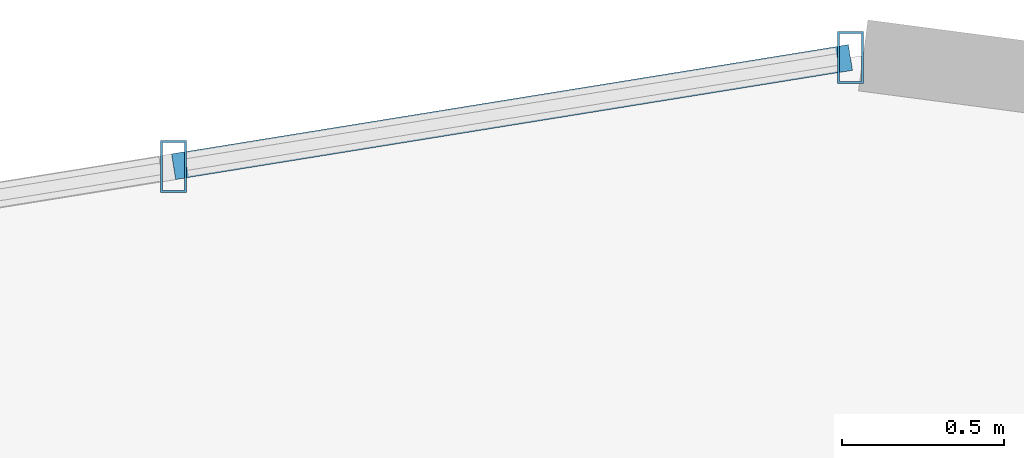
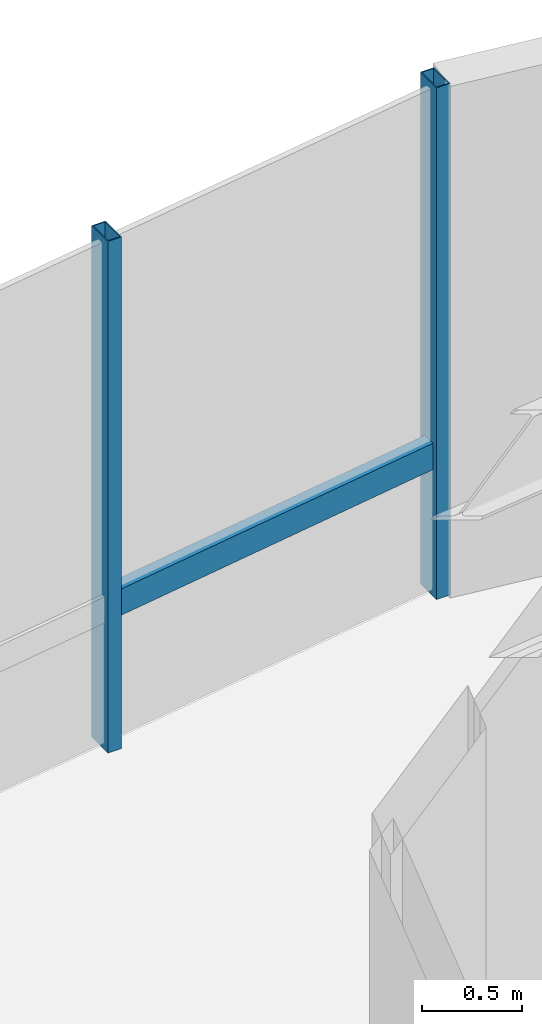
# One storey, part 15 of 21: 3 members, 1 element without a shape of its own.
"""IFC4 building model written with IfcOpenShell, lengths in metres."""

from ifc_helpers import new_model, si_unit, direction, frame, origin, origin_2d, place, context, subcontext, project, spatial, hollow_rectangle, extrude, source, transform, mapped, material, material_profile, profile_set, type_object, element, aggregate, save


model = new_model("IFC4")

# Units and contexts
model_context = context("Model", 3, precision=1e-05, world=origin(), true_north=direction((0.0, 1.0)))
body_context = subcontext(model_context, "Body", "Model", "MODEL_VIEW")
ifc_project = project(units=[si_unit("LENGTHUNIT", "METRE"), si_unit("AREAUNIT", "SQUARE_METRE"), si_unit("VOLUMEUNIT", "CUBIC_METRE"), si_unit("PLANEANGLEUNIT", "RADIAN"), si_unit("MASSUNIT", "GRAM", prefix="KILO")], contexts=[model_context])

# Site, building, storey
site_placement = place(None, origin())
site = spatial("IfcSite", under=ifc_project, at=site_placement, CompositionType="ELEMENT")
building_placement = place(site_placement, origin())
building = spatial("IfcBuilding", under=site, at=building_placement, Name="Sahyath Konkavel Grand Hotel", CompositionType="ELEMENT")
storey_placement = place(building_placement, frame((0.0, 0.0, 219.89990234375)))
storey = spatial("IfcBuildingStorey", under=building, at=storey_placement, Name="L61", CompositionType="ELEMENT", Elevation=219.89990234375)

# Curtain wall, members
ifc_material_1 = material(Name="Anodised Bronze Aluminium & Low-E Glazing", Category="aluminium")
curtain_wall_type = type_object("IfcCurtainWallType", Name="CW-ZONE4", PredefinedType="NOTDEFINED", material=ifc_material_1)
curtain_wall_placement = place(storey_placement, origin())
curtain_wall = element("IfcCurtainWall", 1, at=curtain_wall_placement, inside=storey, type_object=curtain_wall_type, Name="L61 Unitised Curtain Wall F12", PredefinedType="NOTDEFINED")
ifc_material_2 = material(Name="Anodised Bronze Aluminium", Category="aluminium")
ifc_material_profile_1 = material_profile(ifc_material_2, hollow_rectangle(XDim=0.080078125, YDim=0.159912109375, WallThickness=0.006103515625, at=origin_2d()), Name="RHS 160x80x6")
ifc_profile_set_1 = profile_set([ifc_material_profile_1], Name="Anodised Bronze Aluminium")
member_type_1 = type_object("IfcMemberType", Name="CW-MUL-160", PredefinedType="MULLION", material=ifc_profile_set_1)
shared_shape_1 = source(origin(), body_context, "Body", "SweptSolid", [
    extrude(hollow_rectangle(XDim=0.080078125, YDim=0.159912109375, WallThickness=0.006103515625, at=origin_2d()), origin(), (0.0, 0.0, 1.0), 3.110107421875),
])
member_1_placement = place(storey_placement, frame((1.115234375, 20.30517578125, 0.0), z_axis=(0.0, 0.0, 1.0), x_axis=(1.0, 0.0, 0.0)))
member_1 = element("IfcMember", 2, at=member_1_placement, type_object=member_type_1, Name="L61 Curtain Wall Mullion F12-0", PredefinedType="MULLION", context=body_context, shape_type="MappedRepresentation", body=[
    mapped(shared_shape_1, transform((0.0, 0.0, 0.0), scale=1.0)),
])
member_2_placement = place(storey_placement, frame((-0.968017578125, 19.968994140625, 0.0), z_axis=(0.0, 0.0, 1.0), x_axis=(1.0, 0.0, 0.0)))
member_2 = element("IfcMember", 3, at=member_2_placement, type_object=member_type_1, Name="L61 Curtain Wall Mullion F12-1", PredefinedType="MULLION", context=body_context, shape_type="MappedRepresentation", body=[
    mapped(shared_shape_1, transform((0.0, 0.0, 0.0), scale=1.0)),
])
ifc_material_profile_2 = material_profile(ifc_material_2, hollow_rectangle(XDim=0.080078125, YDim=0.159912109375, WallThickness=0.006103515625, at=origin_2d()), Name="RHS 160x80x6")
ifc_profile_set_2 = profile_set([ifc_material_profile_2], Name="Anodised Bronze Aluminium")
member_type_2 = type_object("IfcMemberType", Name="CW-TRN-160", PredefinedType="USERDEFINED", material=ifc_profile_set_2)
shared_shape_2 = source(origin(), body_context, "Body", "SweptSolid", [
    extrude(hollow_rectangle(XDim=0.080078125, YDim=0.159912109375, WallThickness=0.006103515625, at=origin_2d()), origin(), (0.0, 0.0, 1.0), 2.110107421875),
])
member_3_placement = place(storey_placement, frame((1.115234375, 20.30517578125, 0.85009765625), z_axis=(-0.987228210283, -0.159312462857, 0.0), x_axis=(0.159312462857, -0.987228210283, 0.0)))
member_3 = element("IfcMember", 4, at=member_3_placement, type_object=member_type_2, Name="L61 Curtain Wall Transom F12-0-spandrel", ObjectType="TRANSOM", PredefinedType="USERDEFINED", context=body_context, shape_type="MappedRepresentation", body=[
    mapped(shared_shape_2, transform((0.0, 0.0, 0.0), scale=1.0)),
])
aggregate(curtain_wall, [member_1, member_2, member_3])

save(model, "model.ifc")
